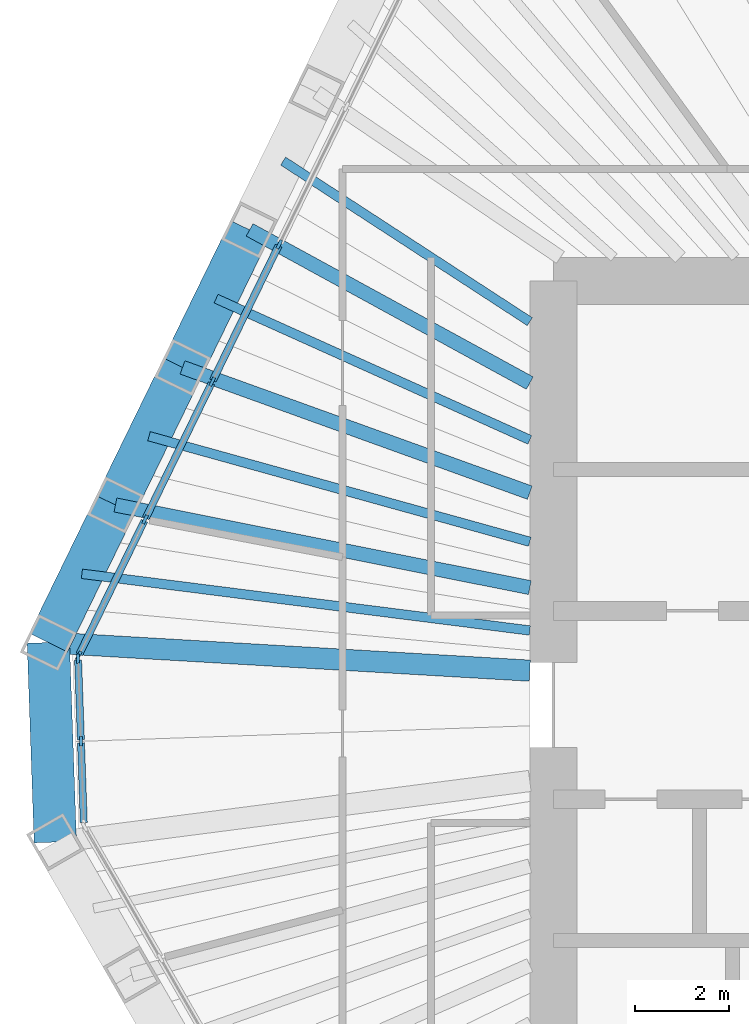
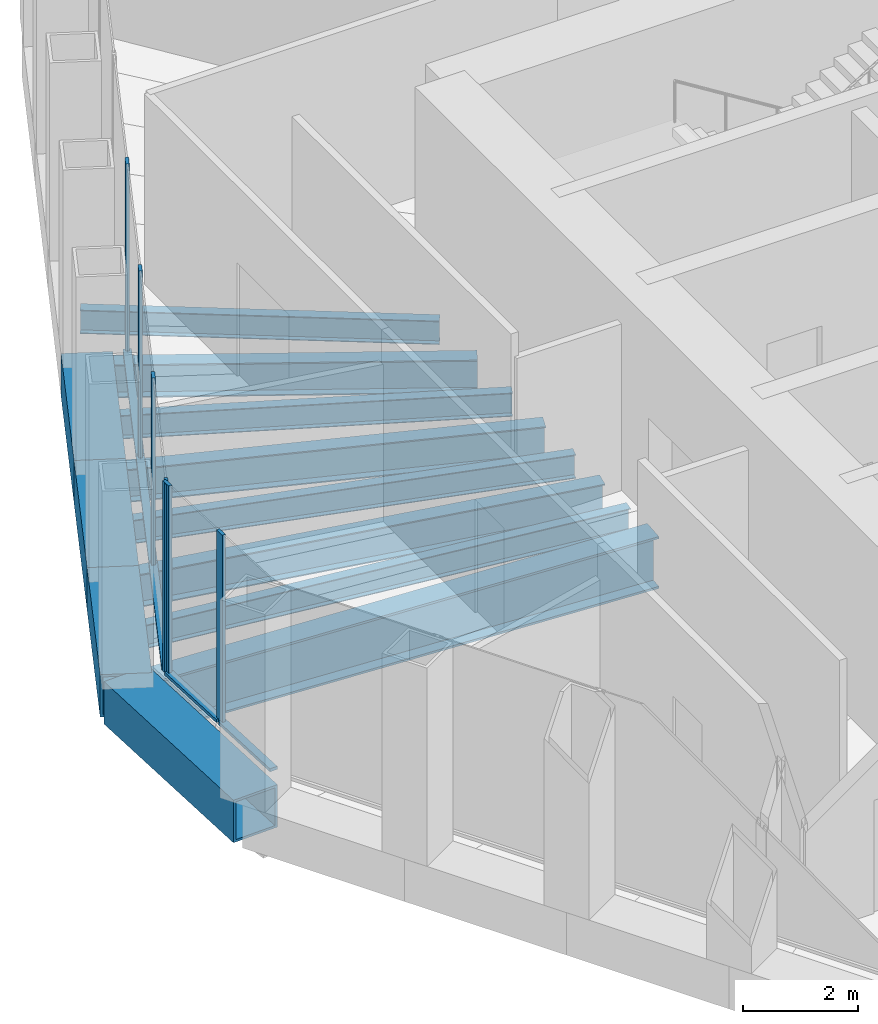
# One storey, part 4 of 14: 12 beams, 11 members, 2 elements without a shape of their own.
"""IFC4 building model written with IfcOpenShell, lengths in metres."""

from ifc_helpers import new_model, si_unit, direction, frame, origin, origin_2d, place, context, subcontext, project, spatial, rectangle, hollow_rectangle, i_section, extrude, material, material_profile, profile_set, type_object, element, aggregate, save


model = new_model("IFC4")

# Units and contexts
model_context = context("Model", 3, precision=1e-05, world=origin(), true_north=direction((0.0, 1.0)))
body_context = subcontext(model_context, "Body", "Model", "MODEL_VIEW")
ifc_project = project(units=[si_unit("LENGTHUNIT", "METRE"), si_unit("AREAUNIT", "SQUARE_METRE"), si_unit("VOLUMEUNIT", "CUBIC_METRE"), si_unit("PLANEANGLEUNIT", "RADIAN"), si_unit("MASSUNIT", "GRAM", prefix="KILO")], contexts=[model_context])

# Site, building, storey
site_placement = place(None, origin())
site = spatial("IfcSite", under=ifc_project, at=site_placement, CompositionType="ELEMENT")
building_placement = place(site_placement, origin())
building = spatial("IfcBuilding", under=site, at=building_placement, Name="Qingtian Harvest Tower", CompositionType="ELEMENT")
storey_placement = place(building_placement, frame((0.0, 0.0, 274.60009765625)))
storey = spatial("IfcBuildingStorey", under=building, at=storey_placement, Name="L60", CompositionType="ELEMENT", Elevation=274.60009765625)

# Beams
ifc_material_1 = material(Name="Steel SM570MC", Category="steel")
ifc_material_profile_1 = material_profile(ifc_material_1, i_section(OverallWidth=0.449951171875, OverallDepth=1.10009765625, WebThickness=0.02197265625, FlangeThickness=0.044921875, at=origin_2d()), Name="H1100x450x22x45")
ifc_profile_set_1 = profile_set([ifc_material_profile_1], Name="Steel SM570MC")
beam_type_1 = type_object("IfcBeamType", Name="Corner floor beam FB8 H1100x450x22x45", PredefinedType="BEAM", material=ifc_profile_set_1)
beam_1_placement = place(storey_placement, frame((-22.71728515625, 1.3271484375, -0.72021484375), z_axis=(0.998297736533, -0.058323487833, 0.0), x_axis=(0.058323487833, 0.998297736533, 0.0)))
element("IfcBeam", 1, at=beam_1_placement, inside=storey, type_object=beam_type_1, Name="Floor beam FB8 NW0", PredefinedType="BEAM", context=body_context, shape_type="SweptSolid", body=[
    extrude(i_section(OverallWidth=0.449951171875, OverallDepth=1.10009765625, WebThickness=0.02197265625, FlangeThickness=0.044921875, at=origin_2d()), origin(), (0.0, 0.0, 1.0), 10.234619140625),
])
ifc_material_2 = material(Name="Steel SN490B", Category="steel")
ifc_material_profile_2 = material_profile(ifc_material_2, i_section(OverallWidth=0.300048828125, OverallDepth=0.699951171875, WebThickness=0.012939453125, FlangeThickness=0.02392578125, at=origin_2d()), Name="H700x300x13x24")
ifc_profile_set_2 = profile_set([ifc_material_profile_2], Name="Steel SN490B")
beam_type_2 = type_object("IfcBeamType", Name="Floor beam FB4 H700x300x13x24", PredefinedType="BEAM", material=ifc_profile_set_2)
beam_2_placement = place(storey_placement, frame((-21.29345703125, 4.246337890625, -0.52001953125), z_axis=(0.980688391079, -0.195576786971, 0.0), x_axis=(0.195576786971, 0.980688391079, 0.0)))
element("IfcBeam", 2, at=beam_2_placement, inside=storey, type_object=beam_type_2, Name="Floor beam FB4 NW1", PredefinedType="BEAM", context=body_context, shape_type="SweptSolid", body=[
    extrude(i_section(OverallWidth=0.300048828125, OverallDepth=0.699951171875, WebThickness=0.012939453125, FlangeThickness=0.02392578125, at=origin_2d()), origin(), (0.0, 0.0, 1.0), 8.966552734375),
])
beam_3_placement = place(storey_placement, frame((-19.86962890625, 7.165771484375, -0.52001953125), z_axis=(0.940688220757, -0.339272267256, 0.0), x_axis=(0.339272267256, 0.940688220757, 0.0)))
element("IfcBeam", 3, at=beam_3_placement, inside=storey, type_object=beam_type_2, Name="Floor beam FB4 NW2", PredefinedType="BEAM", context=body_context, shape_type="SweptSolid", body=[
    extrude(i_section(OverallWidth=0.300048828125, OverallDepth=0.699951171875, WebThickness=0.012939453125, FlangeThickness=0.02392578125, at=origin_2d()), origin(), (0.0, 0.0, 1.0), 7.834228515625),
])
beam_4_placement = place(storey_placement, frame((-18.44580078125, 10.0849609375, -0.52001953125), z_axis=(0.877425639682, -0.479712671116, 0.0), x_axis=(0.479712671116, 0.877425639682, 0.0)))
element("IfcBeam", 4, at=beam_4_placement, inside=storey, type_object=beam_type_2, Name="Floor beam FB4 NW3", PredefinedType="BEAM", context=body_context, shape_type="SweptSolid", body=[
    extrude(i_section(OverallWidth=0.300048828125, OverallDepth=0.699951171875, WebThickness=0.012939453125, FlangeThickness=0.02392578125, at=origin_2d()), origin(), (0.0, 0.0, 1.0), 6.7763671875),
])
ifc_material_3 = material(Name="Steel SN490B", Category="steel")
ifc_material_profile_3 = material_profile(ifc_material_3, i_section(OverallWidth=0.199951171875, OverallDepth=0.5, WebThickness=0.010009765625, FlangeThickness=0.01611328125, at=origin_2d()), Name="H500x200x10x16")
ifc_profile_set_3 = profile_set([ifc_material_profile_3], Name="Steel SN490B")
beam_type_3 = type_object("IfcBeamType", Name="Floor joist J3 H500x200x10x16", PredefinedType="JOIST", material=ifc_profile_set_3)
beam_5_placement = place(storey_placement, frame((-22.00537109375, 2.78662109375, -0.420166015625), z_axis=(0.992078247837, -0.125621455844, 0.0), x_axis=(0.125621455844, 0.992078247837, 0.0)))
element("IfcBeam", 5, at=beam_5_placement, inside=storey, type_object=beam_type_3, Name="Floor joist J3 NW0", PredefinedType="JOIST", context=body_context, shape_type="SweptSolid", body=[
    extrude(i_section(OverallWidth=0.199951171875, OverallDepth=0.5, WebThickness=0.010009765625, FlangeThickness=0.01611328125, at=origin_2d()), origin(), (0.0, 0.0, 1.0), 9.581298828125),
])
beam_6_placement = place(storey_placement, frame((-20.58154296875, 5.7060546875, -0.420166015625), z_axis=(0.963652918134, -0.267157356949, 0.0), x_axis=(0.267157356949, 0.963652918134, 0.0)))
element("IfcBeam", 6, at=beam_6_placement, inside=storey, type_object=beam_type_3, Name="Floor joist J3 NW1", PredefinedType="JOIST", context=body_context, shape_type="SweptSolid", body=[
    extrude(i_section(OverallWidth=0.199951171875, OverallDepth=0.5, WebThickness=0.010009765625, FlangeThickness=0.01611328125, at=origin_2d()), origin(), (0.0, 0.0, 1.0), 8.386474609375),
])
beam_7_placement = place(storey_placement, frame((-19.15771484375, 8.625244140625, -0.420166015625), z_axis=(0.911852669976, -0.410517610168, 0.0), x_axis=(0.410517610168, 0.911852669976, 0.0)))
element("IfcBeam", 7, at=beam_7_placement, inside=storey, type_object=beam_type_3, Name="Floor joist J3 NW2", PredefinedType="JOIST", context=body_context, shape_type="SweptSolid", body=[
    extrude(i_section(OverallWidth=0.199951171875, OverallDepth=0.5, WebThickness=0.010009765625, FlangeThickness=0.01611328125, at=origin_2d()), origin(), (0.0, 0.0, 1.0), 7.30126953125),
])
beam_8_placement = place(storey_placement, frame((-17.73388671875, 11.544677734375, -0.420166015625), z_axis=(0.838062930903, -0.545573573266, 0.0), x_axis=(0.545573573266, 0.838062930903, 0.0)))
element("IfcBeam", 8, at=beam_8_placement, inside=storey, type_object=beam_type_3, Name="Floor joist J3 NW3", PredefinedType="JOIST", context=body_context, shape_type="SweptSolid", body=[
    extrude(i_section(OverallWidth=0.199951171875, OverallDepth=0.5, WebThickness=0.010009765625, FlangeThickness=0.01611328125, at=origin_2d()), origin(), (0.0, 0.0, 1.0), 6.2451171875),
])

# Curtain wall, members
ifc_material_4 = material(Name="Bronze-anodised aluminium curtain wall", Category="aluminium")
curtain_wall_type = type_object("IfcCurtainWallType", Name="Curtain wall CW5 upper office", PredefinedType="USERDEFINED", material=ifc_material_4)
curtain_wall_1_placement = place(storey_placement, origin())
curtain_wall_1 = element("IfcCurtainWall", 9, at=curtain_wall_1_placement, inside=storey, type_object=curtain_wall_type, Name="Curtain wall CW5 L60 SWC", ObjectType="RECESSED CURTAIN WALL", PredefinedType="USERDEFINED")
ifc_material_5 = material(Name="Bronze-anodised aluminium mullion", Category="aluminium")
ifc_material_profile_4 = material_profile(ifc_material_5, rectangle(XDim=0.06494140625, YDim=0.199951171875, at=origin_2d()), Name="AL 65x200")
ifc_profile_set_4 = profile_set([ifc_material_profile_4], Name="Bronze-anodised aluminium mullion")
member_type_1 = type_object("IfcMemberType", Name="Mullion CWM 65x200", PredefinedType="MULLION", material=ifc_profile_set_4)
member_1_placement = place(storey_placement, frame((-22.025634765625, -0.76904296875, 0.0), z_axis=(0.0, 0.0, 1.0), x_axis=(-0.999390827019, -0.034899496703, 0.0)))
member_1 = element("IfcMember", 10, at=member_1_placement, type_object=member_type_1, Name="CW5 mullion 2", PredefinedType="MULLION", context=body_context, shape_type="SweptSolid", body=[
    extrude(rectangle(XDim=0.06494140625, YDim=0.199951171875, at=origin_2d()), origin(), (0.0, 0.0, 1.0), 4.02978515625),
])
member_2_placement = place(storey_placement, frame((-22.087158203125, 0.98779296875, 0.0), z_axis=(0.0, 0.0, 1.0), x_axis=(-0.999390827019, -0.034899496703, 0.0)))
member_2 = element("IfcMember", 11, at=member_2_placement, type_object=member_type_1, Name="CW5 mullion 3", PredefinedType="MULLION", context=body_context, shape_type="SweptSolid", body=[
    extrude(rectangle(XDim=0.06494140625, YDim=0.199951171875, at=origin_2d()), origin(), (0.0, 0.0, 1.0), 4.02978515625),
])

curtain_wall_2_placement = place(storey_placement, origin())
curtain_wall_2 = element("IfcCurtainWall", 12, at=curtain_wall_2_placement, inside=storey, type_object=curtain_wall_type, Name="Curtain wall CW5 L60 NW0-5", ObjectType="RECESSED CURTAIN WALL", PredefinedType="USERDEFINED")
member_3_placement = place(storey_placement, frame((-22.073974609375, 1.04931640625, 0.0), z_axis=(0.0, 0.0, 1.0), x_axis=(-0.898794046299, 0.438371146789, 0.0)))
member_3 = element("IfcMember", 13, at=member_3_placement, type_object=member_type_1, Name="CW5 mullion 1", PredefinedType="MULLION", context=body_context, shape_type="SweptSolid", body=[
    extrude(rectangle(XDim=0.06494140625, YDim=0.199951171875, at=origin_2d()), origin(), (0.0, 0.0, 1.0), 4.02978515625),
])
member_4_placement = place(storey_placement, frame((-20.664306640625, 3.939453125, 0.0), z_axis=(0.0, 0.0, 1.0), x_axis=(-0.898794046299, 0.438371146789, 0.0)))
member_4 = element("IfcMember", 14, at=member_4_placement, type_object=member_type_1, Name="CW5 mullion 2", PredefinedType="MULLION", context=body_context, shape_type="SweptSolid", body=[
    extrude(rectangle(XDim=0.06494140625, YDim=0.199951171875, at=origin_2d()), origin(), (0.0, 0.0, 1.0), 4.02978515625),
])
member_5_placement = place(storey_placement, frame((-19.240478515625, 6.85888671875, 0.0), z_axis=(0.0, 0.0, 1.0), x_axis=(-0.898794046299, 0.438371146789, 0.0)))
member_5 = element("IfcMember", 15, at=member_5_placement, type_object=member_type_1, Name="CW5 mullion 3", PredefinedType="MULLION", context=body_context, shape_type="SweptSolid", body=[
    extrude(rectangle(XDim=0.06494140625, YDim=0.199951171875, at=origin_2d()), origin(), (0.0, 0.0, 1.0), 4.02978515625),
])
member_6_placement = place(storey_placement, frame((-17.816650390625, 9.778076171875, 0.0), z_axis=(0.0, 0.0, 1.0), x_axis=(-0.898794046299, 0.438371146789, 0.0)))
member_6 = element("IfcMember", 16, at=member_6_placement, type_object=member_type_1, Name="CW5 mullion 4", PredefinedType="MULLION", context=body_context, shape_type="SweptSolid", body=[
    extrude(rectangle(XDim=0.06494140625, YDim=0.199951171875, at=origin_2d()), origin(), (0.0, 0.0, 1.0), 4.02978515625),
])

# Beams
ifc_material_6 = material(Name="Steel SM570MC", Category="steel")
ifc_material_profile_5 = material_profile(ifc_material_6, hollow_rectangle(XDim=0.89990234375, YDim=0.89990234375, WallThickness=0.050048828125, at=origin_2d()), Name="BOX900x900x50")
ifc_profile_set_5 = profile_set([ifc_material_profile_5], Name="Steel SM570MC")
beam_type_4 = type_object("IfcBeamType", Name="Transition spandrel SB6 BOX900x900x50", PredefinedType="SPANDREL", material=ifc_profile_set_5)
beam_9_placement = place(storey_placement, frame((-22.569580078125, -2.908447265625, -0.4501953125), z_axis=(-0.034851142499, 0.999392514414, 0.0), x_axis=(-0.999392514414, -0.034851142499, 0.0)))
element("IfcBeam", 17, at=beam_9_placement, inside=storey, type_object=beam_type_4, Name="Spandrel SB6 SWC", PredefinedType="SPANDREL", context=body_context, shape_type="SweptSolid", body=[
    extrude(hollow_rectangle(XDim=0.89990234375, YDim=0.89990234375, WallThickness=0.050048828125, at=origin_2d()), origin(), (0.0, 0.0, 1.0), 4.23828125),
])
beam_10_placement = place(storey_placement, frame((-22.71728515625, 1.3271484375, -0.4501953125), z_axis=(0.438382164311, 0.898788672611, 0.0), x_axis=(-0.898788672611, 0.438382164311, 0.0)))
element("IfcBeam", 18, at=beam_10_placement, inside=storey, type_object=beam_type_4, Name="Spandrel SB6 NW0", PredefinedType="SPANDREL", context=body_context, shape_type="SweptSolid", body=[
    extrude(hollow_rectangle(XDim=0.89990234375, YDim=0.89990234375, WallThickness=0.050048828125, at=origin_2d()), origin(), (0.0, 0.0, 1.0), 3.247802734375),
])
beam_11_placement = place(storey_placement, frame((-21.29345703125, 4.246337890625, -0.4501953125), z_axis=(0.438352548749, 0.898803116931, 0.0), x_axis=(-0.898803116931, 0.438352548749, 0.0)))
element("IfcBeam", 19, at=beam_11_placement, inside=storey, type_object=beam_type_4, Name="Spandrel SB6 NW1", PredefinedType="SPANDREL", context=body_context, shape_type="SweptSolid", body=[
    extrude(hollow_rectangle(XDim=0.89990234375, YDim=0.89990234375, WallThickness=0.050048828125, at=origin_2d()), origin(), (0.0, 0.0, 1.0), 3.248046875),
])
beam_12_placement = place(storey_placement, frame((-19.86962890625, 7.165771484375, -0.4501953125), z_axis=(0.438382164311, 0.898788672611, 0.0), x_axis=(-0.898788672611, 0.438382164311, 0.0)))
element("IfcBeam", 20, at=beam_12_placement, inside=storey, type_object=beam_type_4, Name="Spandrel SB6 NW2", PredefinedType="SPANDREL", context=body_context, shape_type="SweptSolid", body=[
    extrude(hollow_rectangle(XDim=0.89990234375, YDim=0.89990234375, WallThickness=0.050048828125, at=origin_2d()), origin(), (0.0, 0.0, 1.0), 3.247802734375),
])

# Member
ifc_material_7 = material(Name="Bronze-anodised aluminium transom", Category="aluminium")
ifc_material_profile_6 = material_profile(ifc_material_7, rectangle(XDim=0.14990234375, YDim=0.06494140625, at=origin_2d()), Name="AL 65x150")
ifc_profile_set_6 = profile_set([ifc_material_profile_6], Name="Bronze-anodised aluminium transom")
member_type_2 = type_object("IfcMemberType", Name="Transom CWT 65x150", PredefinedType="USERDEFINED", material=ifc_profile_set_6)
member_7_placement = place(storey_placement, frame((-21.965576171875, -2.49365234375, 0.032470703125), z_axis=(-0.034899362377, 0.99939083171, 0.0), x_axis=(-0.99939083171, -0.034899362377, 0.0)))
member_7 = element("IfcMember", 21, at=member_7_placement, type_object=member_type_2, Name="CW5 transom 1.1", ObjectType="TRANSOM", PredefinedType="USERDEFINED", context=body_context, shape_type="SweptSolid", body=[
    extrude(rectangle(XDim=0.14990234375, YDim=0.06494140625, at=origin_2d()), origin(), (0.0, 0.0, 1.0), 1.69287109375),
])

member_8_placement = place(storey_placement, frame((-22.02685546875, -0.736572265625, 0.032470703125), z_axis=(-0.034899362377, 0.99939083171, 0.0), x_axis=(-0.99939083171, -0.034899362377, 0.0)))
member_8 = element("IfcMember", 22, at=member_8_placement, type_object=member_type_2, Name="CW5 transom 2.1", ObjectType="TRANSOM", PredefinedType="USERDEFINED", context=body_context, shape_type="SweptSolid", body=[
    extrude(rectangle(XDim=0.14990234375, YDim=0.06494140625, at=origin_2d()), origin(), (0.0, 0.0, 1.0), 1.69287109375),
])

aggregate(curtain_wall_1, [member_1, member_2, member_7, member_8])

member_9_placement = place(storey_placement, frame((-22.059814453125, 1.07861328125, 0.032470703125), z_axis=(0.438357982629, 0.89880046677, 0.0), x_axis=(-0.89880046677, 0.438357982629, 0.0)))
member_9 = element("IfcMember", 23, at=member_9_placement, type_object=member_type_2, Name="CW5 transom 1.1", ObjectType="TRANSOM", PredefinedType="USERDEFINED", context=body_context, shape_type="SweptSolid", body=[
    extrude(rectangle(XDim=0.14990234375, YDim=0.06494140625, at=origin_2d()), origin(), (0.0, 0.0, 1.0), 3.150634765625),
])

member_10_placement = place(storey_placement, frame((-20.650146484375, 3.96875, 0.032470703125), z_axis=(0.438355626738, 0.898801615768, 0.0), x_axis=(-0.898801615768, 0.438355626738, 0.0)))
member_10 = element("IfcMember", 24, at=member_10_placement, type_object=member_type_2, Name="CW5 transom 2.1", ObjectType="TRANSOM", PredefinedType="USERDEFINED", context=body_context, shape_type="SweptSolid", body=[
    extrude(rectangle(XDim=0.14990234375, YDim=0.06494140625, at=origin_2d()), origin(), (0.0, 0.0, 1.0), 3.182861328125),
])

member_11_placement = place(storey_placement, frame((-19.226318359375, 6.887939453125, 0.032470703125), z_axis=(0.438325408134, 0.898816353091, 0.0), x_axis=(-0.898816353091, 0.438325408134, 0.0)))
member_11 = element("IfcMember", 25, at=member_11_placement, type_object=member_type_2, Name="CW5 transom 3.1", ObjectType="TRANSOM", PredefinedType="USERDEFINED", context=body_context, shape_type="SweptSolid", body=[
    extrude(rectangle(XDim=0.14990234375, YDim=0.06494140625, at=origin_2d()), origin(), (0.0, 0.0, 1.0), 3.18310546875),
])

aggregate(curtain_wall_2, [member_3, member_4, member_5, member_6, member_9, member_10, member_11])

save(model, "model.ifc")
